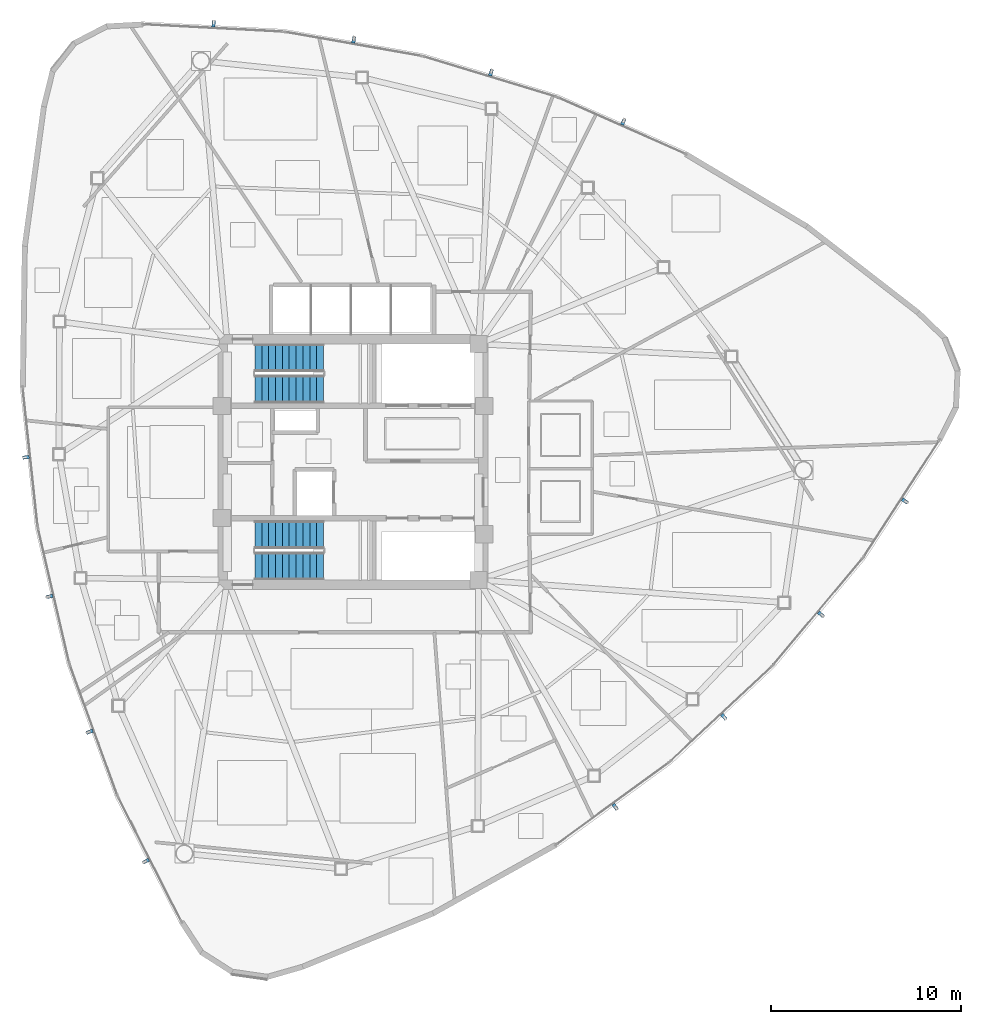
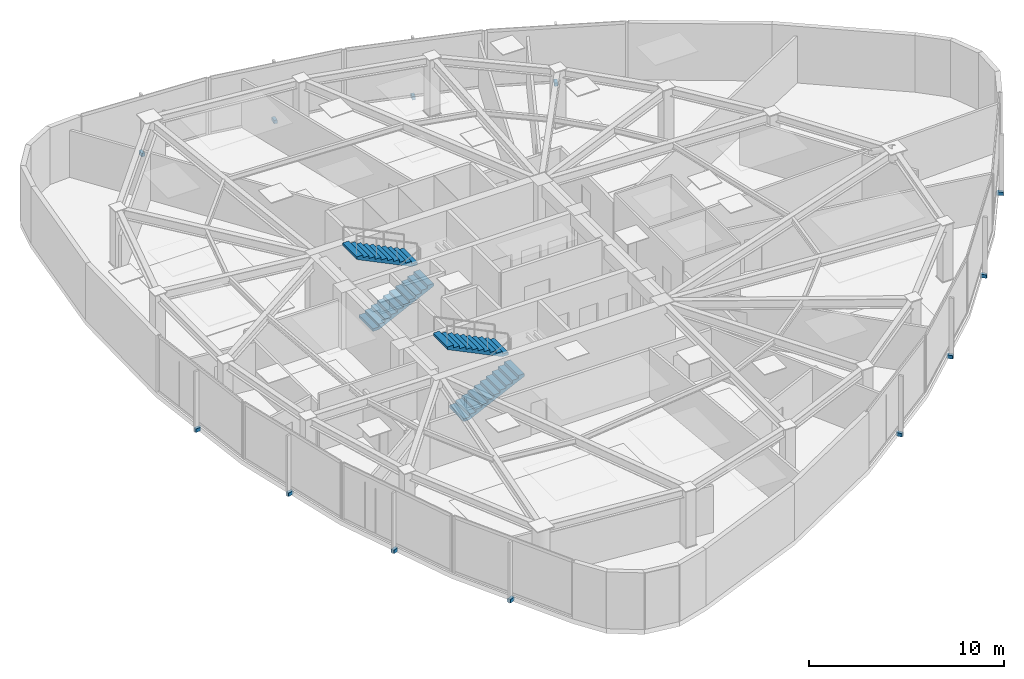
# One storey, part 13 of 17: 12 discrete accessories, 4 stair flights, 2 elements without a shape of their own.
"""IFC4 building model written with IfcOpenShell, lengths in metres."""

from ifc_helpers import new_model, si_unit, direction, frame, origin, origin_2d, place, context, subcontext, project, spatial, polyline, rectangle, outline, extrude, source, transform, mapped, material, type_object, type_shapes, element, aggregate, save


model = new_model("IFC4")

# Units and contexts
model_context = context("Model", 3, precision=1e-05, world=origin(), true_north=direction((0.0, 1.0)))
body_context = subcontext(model_context, "Body", "Model", "MODEL_VIEW")
ifc_project = project(units=[si_unit("LENGTHUNIT", "METRE"), si_unit("AREAUNIT", "SQUARE_METRE"), si_unit("VOLUMEUNIT", "CUBIC_METRE"), si_unit("PLANEANGLEUNIT", "RADIAN"), si_unit("MASSUNIT", "GRAM", prefix="KILO")], contexts=[model_context])

# Site, building, storey
site_placement = place(None, origin())
site = spatial("IfcSite", under=ifc_project, at=site_placement, CompositionType="ELEMENT")
building_placement = place(site_placement, origin())
building = spatial("IfcBuilding", under=site, at=building_placement, Name="Tavelor Broadcast Tower", CompositionType="ELEMENT")
storey_placement = place(building_placement, frame((0.0, 0.0, 200.300048828125)))
storey = spatial("IfcBuildingStorey", under=building, at=storey_placement, Name="L48", CompositionType="ELEMENT", Elevation=200.300048828125)

# Stair, stair flights
ifc_material_1 = material(Name="Concrete C40/50", Category="concrete")
stair_type = type_object("IfcStairType", Name="Reinforced Concrete Protected Dogleg Stair 1450 mm", PredefinedType="HALF_TURN_STAIR", material=ifc_material_1)
stair_1_placement = place(storey_placement, origin())
stair_1 = element("IfcStair", 1, at=stair_1_placement, inside=storey, type_object=stair_type, Name="L48 Protected Core Exit Stair ST1", PredefinedType="HALF_TURN_STAIR")
stair_flight_type = type_object("IfcStairFlightType", Name="Reinforced Concrete Stair Flight 1450 mm", PredefinedType="STRAIGHT", material=ifc_material_1)
stair_flight_1_placement = place(storey_placement, frame((44.85009765625, 48.824951171875, 0.0), z_axis=(0.0, 0.0, 1.0), x_axis=(1.0, 0.0, 0.0)))
stair_flight_1 = element("IfcStairFlight", 2, at=stair_flight_1_placement, type_object=stair_flight_type, Name="ST1 flight 1", NumberOfRisers=11, NumberOfTreads=10, PredefinedType="STRAIGHT", RiserHeight=0.175, TreadLength=0.36, context=body_context, shape_type="SweptSolid", body=[
    extrude(outline(polyline([(0.0, 0.0), (0.0, 0.175048828125), (0.360107421875, 0.175048828125), (0.360107421875, 0.35009765625), (0.719970703125, 0.35009765625), (0.719970703125, 0.52490234375), (1.080078125, 0.52490234375), (1.080078125, 0.699951171875), (1.43994140625, 0.699951171875), (1.43994140625, 0.875), (1.800048828125, 0.875), (1.800048828125, 1.050048828125), (2.159912109375, 1.050048828125), (2.159912109375, 1.22509765625), (2.52001953125, 1.22509765625), (2.52001953125, 1.39990234375), (2.8798828125, 1.39990234375), (2.8798828125, 1.574951171875), (3.239990234375, 1.574951171875), (3.239990234375, 1.75), (3.60009765625, 1.75), (3.60009765625, 1.925048828125), (3.60009765625, 1.583251953125), (0.3427734375, 0.0), (0.0, 0.0)])), frame((0.0, 0.72509765625, 0.0), z_axis=(0.0, -1.0, 0.0), x_axis=(1.0, 0.0, 0.0)), (0.0, 0.0, 1.0), 1.449951171875),
])
stair_flight_2_placement = place(storey_placement, frame((48.449951171875, 50.47509765625, 1.925048828125), z_axis=(0.0, 0.0, 1.0), x_axis=(-1.0, 0.0, 0.0)))
stair_flight_2 = element("IfcStairFlight", 3, at=stair_flight_2_placement, type_object=stair_flight_type, Name="ST1 flight 2", NumberOfRisers=11, NumberOfTreads=10, PredefinedType="STRAIGHT", RiserHeight=0.175, TreadLength=0.36, context=body_context, shape_type="SweptSolid", body=[
    extrude(outline(polyline([(0.0, 0.0), (0.0, 0.175048828125), (0.360107421875, 0.175048828125), (0.360107421875, 0.35009765625), (0.719970703125, 0.35009765625), (0.719970703125, 0.52490234375), (1.080078125, 0.52490234375), (1.080078125, 0.699951171875), (1.43994140625, 0.699951171875), (1.43994140625, 0.875), (1.800048828125, 0.875), (1.800048828125, 1.050048828125), (2.159912109375, 1.050048828125), (2.159912109375, 1.22509765625), (2.52001953125, 1.22509765625), (2.52001953125, 1.39990234375), (2.8798828125, 1.39990234375), (2.8798828125, 1.574951171875), (3.239990234375, 1.574951171875), (3.239990234375, 1.75), (3.60009765625, 1.75), (3.60009765625, 1.925048828125), (3.60009765625, 1.583251953125), (0.3427734375, 0.0), (0.0, 0.0)])), frame((0.0, 0.72509765625, 0.0), z_axis=(0.0, -1.0, 0.0), x_axis=(1.0, 0.0, 0.0)), (0.0, 0.0, 1.0), 1.449951171875),
])
aggregate(stair_1, [stair_flight_1, stair_flight_2])

stair_2_placement = place(storey_placement, origin())
stair_2 = element("IfcStair", 4, at=stair_2_placement, inside=storey, type_object=stair_type, Name="L48 Protected Core Exit Stair ST2", PredefinedType="HALF_TURN_STAIR")
stair_flight_3_placement = place(storey_placement, frame((44.85009765625, 39.52490234375, 0.0), z_axis=(0.0, 0.0, 1.0), x_axis=(1.0, 0.0, 0.0)))
stair_flight_3 = element("IfcStairFlight", 5, at=stair_flight_3_placement, type_object=stair_flight_type, Name="ST2 flight 1", NumberOfRisers=11, NumberOfTreads=10, PredefinedType="STRAIGHT", RiserHeight=0.175, TreadLength=0.36, context=body_context, shape_type="SweptSolid", body=[
    extrude(outline(polyline([(0.0, 0.0), (0.0, 0.175048828125), (0.360107421875, 0.175048828125), (0.360107421875, 0.35009765625), (0.719970703125, 0.35009765625), (0.719970703125, 0.52490234375), (1.080078125, 0.52490234375), (1.080078125, 0.699951171875), (1.43994140625, 0.699951171875), (1.43994140625, 0.875), (1.800048828125, 0.875), (1.800048828125, 1.050048828125), (2.159912109375, 1.050048828125), (2.159912109375, 1.22509765625), (2.52001953125, 1.22509765625), (2.52001953125, 1.39990234375), (2.8798828125, 1.39990234375), (2.8798828125, 1.574951171875), (3.239990234375, 1.574951171875), (3.239990234375, 1.75), (3.60009765625, 1.75), (3.60009765625, 1.925048828125), (3.60009765625, 1.583251953125), (0.3427734375, 0.0), (0.0, 0.0)])), frame((0.0, 0.72509765625, 0.0), z_axis=(0.0, -1.0, 0.0), x_axis=(1.0, 0.0, 0.0)), (0.0, 0.0, 1.0), 1.449951171875),
])
stair_flight_4_placement = place(storey_placement, frame((48.449951171875, 41.175048828125, 1.925048828125), z_axis=(0.0, 0.0, 1.0), x_axis=(-1.0, 0.0, 0.0)))
stair_flight_4 = element("IfcStairFlight", 6, at=stair_flight_4_placement, type_object=stair_flight_type, Name="ST2 flight 2", NumberOfRisers=11, NumberOfTreads=10, PredefinedType="STRAIGHT", RiserHeight=0.175, TreadLength=0.36, context=body_context, shape_type="SweptSolid", body=[
    extrude(outline(polyline([(0.0, 0.0), (0.0, 0.175048828125), (0.360107421875, 0.175048828125), (0.360107421875, 0.35009765625), (0.719970703125, 0.35009765625), (0.719970703125, 0.52490234375), (1.080078125, 0.52490234375), (1.080078125, 0.699951171875), (1.43994140625, 0.699951171875), (1.43994140625, 0.875), (1.800048828125, 0.875), (1.800048828125, 1.050048828125), (2.159912109375, 1.050048828125), (2.159912109375, 1.22509765625), (2.52001953125, 1.22509765625), (2.52001953125, 1.39990234375), (2.8798828125, 1.39990234375), (2.8798828125, 1.574951171875), (3.239990234375, 1.574951171875), (3.239990234375, 1.75), (3.60009765625, 1.75), (3.60009765625, 1.925048828125), (3.60009765625, 1.583251953125), (0.3427734375, 0.0), (0.0, 0.0)])), frame((0.0, 0.72509765625, 0.0), z_axis=(0.0, -1.0, 0.0), x_axis=(1.0, 0.0, 0.0)), (0.0, 0.0, 1.0), 1.449951171875),
])
aggregate(stair_2, [stair_flight_3, stair_flight_4])

# Discrete accessories
ifc_material_2 = material(Name="Steel S355", Category="steel")
discrete_accessory_type = type_object("IfcDiscreteAccessoryType", Name="Stainless Baguette Outrigger Support Bracket 260x180", PredefinedType="BRACKET", material=ifc_material_2)
shared_shape = source(origin(), body_context, "Body", "SweptSolid", [
    extrude(rectangle(XDim=0.179931640625, YDim=0.340087890625, at=origin_2d()), origin(), (0.0, 0.0, 1.0), 0.216064453125),
])
type_shapes(discrete_accessory_type, [shared_shape])
for number, where, z_axis, x_axis, name in (
    (7, (32.81640625, 45.245361328125, -0.25830078125), (0.0, 0.0, 1.0), (0.106611154275, -0.994300790397, 0.0), "L48 Baguette Outrigger Bracket 505"),
    (8, (34.05322265625, 37.933349609375, -0.25830078125), (0.0, 0.0, 1.0), (0.226311311886, -0.974055024171, 0.0), "L48 Baguette Outrigger Bracket 506"),
    (9, (36.16552734375, 30.824951171875, -0.25830078125), (0.0, 0.0, 1.0), (0.342512118325, -0.939513410655, 0.0), "L48 Baguette Outrigger Bracket 507"),
    (10, (39.122802734375, 24.024169921875, -0.25830078125), (0.0, 0.0, 1.0), (0.453679452137, -0.891164942482, 0.0), "L48 Baguette Outrigger Bracket 508"),
    (11, (63.779296875, 26.87841796875, -0.25830078125), (0.0, 0.0, 1.0), (0.807784166349, 0.589478363128, 0.0), "L48 Baguette Outrigger Bracket 509"),
    (12, (69.493408203125, 31.605224609375, -0.25830078125), (0.0, 0.0, 1.0), (0.730400739673, 0.683018857343, 0.0), "L48 Baguette Outrigger Bracket 510"),
    (13, (74.59326171875, 36.989013671875, -0.25830078125), (0.0, 0.0, 1.0), (0.64238642166, 0.766380900901, 0.0), "L48 Baguette Outrigger Bracket 511"),
    (14, (79.004150390625, 42.9501953125, -0.25830078125), (0.0, 0.0, 1.0), (0.544931753083, 0.838480401967, 0.0), "L48 Baguette Outrigger Bracket 512"),
    (15, (64.2041015625, 62.87646484375, -0.25830078125), (0.0, 0.0, 1.0), (-0.914395320624, 0.404822427269, 0.0), "L48 Baguette Outrigger Bracket 513"),
    (16, (57.25341796875, 65.461181640625, -0.25830078125), (0.0, 0.0, 1.0), (-0.956712051559, 0.291036166828, 0.0), "L48 Baguette Outrigger Bracket 514"),
    (17, (50.041259765625, 67.186279296875, -0.25830078125), (0.0, 0.0, 1.0), (-0.984898539986, 0.173132509753, 0.0), "L48 Baguette Outrigger Bracket 515"),
    (18, (42.673095703125, 68.025390625, -0.25830078125), (0.0, 0.0, 1.0), (-0.99861120522, 0.052684540515, 0.0), "L48 Baguette Outrigger Bracket 516"),
):
    element("IfcDiscreteAccessory", number, at=place(storey_placement, frame(where, z_axis=z_axis, x_axis=x_axis)), inside=storey, type_object=discrete_accessory_type, Name=name, PredefinedType="BRACKET", context=body_context, shape_type="MappedRepresentation", body=[
        mapped(shared_shape, transform((0.0, 0.0, 0.0), scale=1.0)),
    ])

save(model, "model.ifc")
